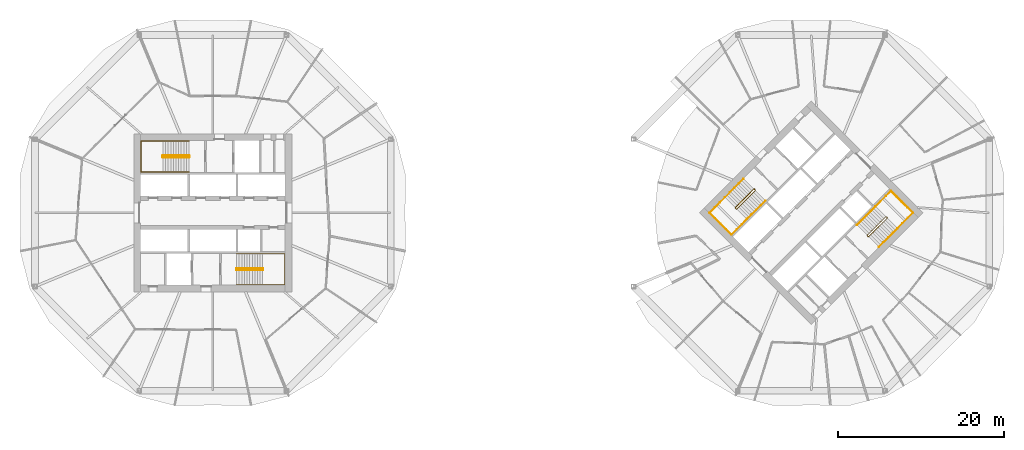
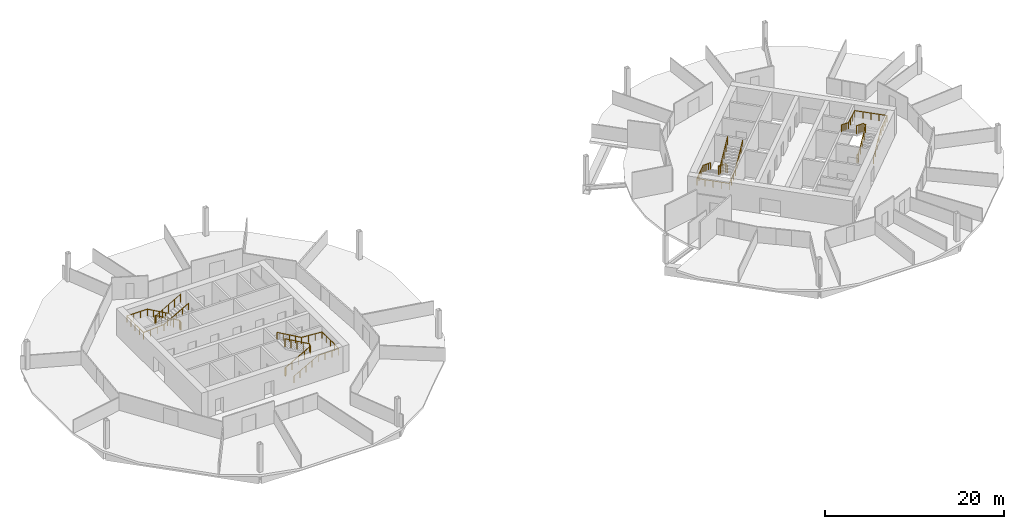
# One storey, part 9 of 9: 8 railings.
"""IFC4 building model written with IfcOpenShell, lengths in metres."""

from ifc_helpers import new_model, si_unit, direction, frame, origin, origin_2d, place, context, subcontext, project, spatial, circle, extrude, material, type_object, element, save


model = new_model("IFC4")

# Units and contexts
model_context = context("Model", 3, precision=1e-05, world=origin(), true_north=direction((0.0, 1.0)))
body_context = subcontext(model_context, "Body", "Model", "MODEL_VIEW")
ifc_project = project(units=[si_unit("LENGTHUNIT", "METRE"), si_unit("AREAUNIT", "SQUARE_METRE"), si_unit("VOLUMEUNIT", "CUBIC_METRE"), si_unit("PLANEANGLEUNIT", "RADIAN"), si_unit("MASSUNIT", "GRAM", prefix="KILO")], contexts=[model_context])

# Site, building, storey
site_placement = place(None, origin())
site = spatial("IfcSite", under=ifc_project, at=site_placement, CompositionType="ELEMENT")
building_placement = place(site_placement, origin())
building = spatial("IfcBuilding", under=site, at=building_placement, Name="Ogive Gate Towers", CompositionType="ELEMENT")
storey_placement = place(building_placement, frame((0.0, 0.0, 111.300048828125)))
storey = spatial("IfcBuildingStorey", under=building, at=storey_placement, Name="L26", CompositionType="ELEMENT", Elevation=111.300048828125)

# Railings
ifc_material = material(Name="Stainless steel", Category="steel")
railing_type_1 = type_object("IfcRailingType", Name="Stair guard 1100", PredefinedType="GUARDRAIL", material=ifc_material)
railing_1_placement = place(storey_placement, frame((-38.81494140625, 6.860107421875, 0.0)))
element("IfcRailing", 1, at=railing_1_placement, inside=storey, type_object=railing_type_1, Name="L26 ST1 stair guard 1", PredefinedType="GUARDRAIL", context=body_context, shape_type="SweptSolid", body=[
    extrude(circle(Radius=0.02392578125, at=origin_2d()), frame((0.0, 0.0, 1.076171875), z_axis=(0.0, -1.0, 0.0), x_axis=(1.0, 0.0, 0.0)), (0.0, 0.0, 1.0), 0.14501953125),
    extrude(circle(Radius=0.02392578125, at=origin_2d()), frame((0.0, -0.14501953125, 1.076171875), z_axis=(-0.186679794065, 0.726685247142, 0.661119660934), x_axis=(-0.968551454522, -0.24881334358, 0.0)), (0.0, 0.0, 1.0), 0.26806640625),
    extrude(circle(Radius=0.02392578125, at=origin_2d()), frame((-0.050048828125, 0.0498046875, 1.25341796875), z_axis=(-0.870572935281, 0.0, 0.492039393094), x_axis=(0.0, -1.0, 0.0)), (0.0, 0.0, 1.0), 3.602783203125),
    extrude(circle(Radius=0.02392578125, at=origin_2d()), frame((-3.1865234375, 0.0498046875, 3.02587890625), z_axis=(-0.707106781187, -0.707106781187, 0.0), x_axis=(0.707106781187, -0.707106781187, 0.0)), (0.0, 0.0, 1.0), 0.0703125),
    extrude(circle(Radius=0.02392578125, at=origin_2d()), frame((-3.236328125, 0.0, 3.02587890625), z_axis=(0.0, -1.0, 0.0), x_axis=(1.0, 0.0, 0.0)), (0.0, 0.0, 1.0), 0.14501953125),
    extrude(circle(Radius=0.02392578125, at=origin_2d()), frame((-3.236328125, -0.14501953125, 3.02587890625), z_axis=(0.261041864531, -0.262321481514, 0.929001929653), x_axis=(0.708833529934, 0.705375805398, 0.0)), (0.0, 0.0, 1.0), 0.190673828125),
    extrude(circle(Radius=0.02392578125, at=origin_2d()), frame((-3.1865234375, -0.195068359375, 3.203125), z_axis=(0.870572935281, 0.0, 0.492039393094), x_axis=(0.0, 1.0, 0.0)), (0.0, 0.0, 1.0), 3.602783203125),
    extrude(circle(Radius=0.02099609375, at=origin_2d()), origin(), (0.0, 0.0, 1.0), 1.052001953125),
    extrude(circle(Radius=0.02099609375, at=origin_2d()), frame((0.0, -0.14501953125, 0.0)), (0.0, 0.0, 1.0), 1.052001953125),
    extrude(circle(Radius=0.02099609375, at=origin_2d()), frame((-0.050048828125, 0.0498046875, 0.17724609375)), (0.0, 0.0, 1.0), 1.052001953125),
    extrude(circle(Radius=0.02099609375, at=origin_2d()), frame((-0.834228515625, 0.0498046875, 0.620361328125)), (0.0, 0.0, 1.0), 1.052001953125),
    extrude(circle(Radius=0.02099609375, at=origin_2d()), frame((-1.6181640625, 0.0498046875, 1.0634765625)), (0.0, 0.0, 1.0), 1.052001953125),
    extrude(circle(Radius=0.02099609375, at=origin_2d()), frame((-2.40234375, 0.0498046875, 1.5068359375)), (0.0, 0.0, 1.0), 1.052001953125),
    extrude(circle(Radius=0.02099609375, at=origin_2d()), frame((-3.1865234375, 0.0498046875, 1.949951171875)), (0.0, 0.0, 1.0), 1.052001953125),
    extrude(circle(Radius=0.02099609375, at=origin_2d()), frame((-3.236328125, 0.0, 1.949951171875)), (0.0, 0.0, 1.0), 1.052001953125),
    extrude(circle(Radius=0.02099609375, at=origin_2d()), frame((-3.236328125, -0.14501953125, 1.949951171875)), (0.0, 0.0, 1.0), 1.052001953125),
    extrude(circle(Radius=0.02099609375, at=origin_2d()), frame((-3.1865234375, -0.195068359375, 2.127197265625)), (0.0, 0.0, 1.0), 1.052001953125),
    extrude(circle(Radius=0.02099609375, at=origin_2d()), frame((-2.40234375, -0.195068359375, 2.5703125)), (0.0, 0.0, 1.0), 1.052001953125),
    extrude(circle(Radius=0.02099609375, at=origin_2d()), frame((-1.6181640625, -0.195068359375, 3.013671875)), (0.0, 0.0, 1.0), 1.052001953125),
    extrude(circle(Radius=0.02099609375, at=origin_2d()), frame((-0.834228515625, -0.195068359375, 3.456787109375)), (0.0, 0.0, 1.0), 1.052001953125),
    extrude(circle(Radius=0.02099609375, at=origin_2d()), frame((-0.050048828125, -0.195068359375, 3.89990234375)), (0.0, 0.0, 1.0), 1.052001953125),
])
railing_2_placement = place(storey_placement, frame((-33.18505859375, -6.860107421875, 0.0)))
element("IfcRailing", 2, at=railing_2_placement, inside=storey, type_object=railing_type_1, Name="L26 ST2 stair guard 1", PredefinedType="GUARDRAIL", context=body_context, shape_type="SweptSolid", body=[
    extrude(circle(Radius=0.02392578125, at=origin_2d()), frame((0.0, 0.0, 1.076171875), z_axis=(0.0, 1.0, 0.0), x_axis=(-1.0, 0.0, 0.0)), (0.0, 0.0, 1.0), 0.14501953125),
    extrude(circle(Radius=0.02392578125, at=origin_2d()), frame((0.0, 0.14501953125, 1.076171875), z_axis=(0.186679794065, -0.726685247142, 0.661119660934), x_axis=(0.968551454522, 0.24881334358, 0.0)), (0.0, 0.0, 1.0), 0.26806640625),
    extrude(circle(Radius=0.02392578125, at=origin_2d()), frame((0.050048828125, -0.0498046875, 1.25341796875), z_axis=(0.870572935281, 0.0, 0.492039393094), x_axis=(0.0, 1.0, 0.0)), (0.0, 0.0, 1.0), 3.602783203125),
    extrude(circle(Radius=0.02392578125, at=origin_2d()), frame((3.1865234375, -0.0498046875, 3.02587890625), z_axis=(0.707106781187, 0.707106781187, 0.0), x_axis=(-0.707106781187, 0.707106781187, 0.0)), (0.0, 0.0, 1.0), 0.0703125),
    extrude(circle(Radius=0.02392578125, at=origin_2d()), frame((3.236328125, 0.0, 3.02587890625), z_axis=(0.0, 1.0, 0.0), x_axis=(-1.0, 0.0, 0.0)), (0.0, 0.0, 1.0), 0.14501953125),
    extrude(circle(Radius=0.02392578125, at=origin_2d()), frame((3.236328125, 0.14501953125, 3.02587890625), z_axis=(-0.261041864531, 0.262321481514, 0.929001929653), x_axis=(-0.708833529934, -0.705375805398, 0.0)), (0.0, 0.0, 1.0), 0.190673828125),
    extrude(circle(Radius=0.02392578125, at=origin_2d()), frame((3.1865234375, 0.195068359375, 3.203125), z_axis=(-0.870572935281, 0.0, 0.492039393094), x_axis=(0.0, -1.0, 0.0)), (0.0, 0.0, 1.0), 3.602783203125),
    extrude(circle(Radius=0.02099609375, at=origin_2d()), origin(), (0.0, 0.0, 1.0), 1.052001953125),
    extrude(circle(Radius=0.02099609375, at=origin_2d()), frame((0.0, 0.14501953125, 0.0)), (0.0, 0.0, 1.0), 1.052001953125),
    extrude(circle(Radius=0.02099609375, at=origin_2d()), frame((0.050048828125, -0.0498046875, 0.17724609375)), (0.0, 0.0, 1.0), 1.052001953125),
    extrude(circle(Radius=0.02099609375, at=origin_2d()), frame((0.834228515625, -0.0498046875, 0.620361328125)), (0.0, 0.0, 1.0), 1.052001953125),
    extrude(circle(Radius=0.02099609375, at=origin_2d()), frame((1.6181640625, -0.0498046875, 1.0634765625)), (0.0, 0.0, 1.0), 1.052001953125),
    extrude(circle(Radius=0.02099609375, at=origin_2d()), frame((2.40234375, -0.0498046875, 1.5068359375)), (0.0, 0.0, 1.0), 1.052001953125),
    extrude(circle(Radius=0.02099609375, at=origin_2d()), frame((3.1865234375, -0.0498046875, 1.949951171875)), (0.0, 0.0, 1.0), 1.052001953125),
    extrude(circle(Radius=0.02099609375, at=origin_2d()), frame((3.236328125, 0.0, 1.949951171875)), (0.0, 0.0, 1.0), 1.052001953125),
    extrude(circle(Radius=0.02099609375, at=origin_2d()), frame((3.236328125, 0.14501953125, 1.949951171875)), (0.0, 0.0, 1.0), 1.052001953125),
    extrude(circle(Radius=0.02099609375, at=origin_2d()), frame((3.1865234375, 0.195068359375, 2.127197265625)), (0.0, 0.0, 1.0), 1.052001953125),
    extrude(circle(Radius=0.02099609375, at=origin_2d()), frame((2.40234375, 0.195068359375, 2.5703125)), (0.0, 0.0, 1.0), 1.052001953125),
    extrude(circle(Radius=0.02099609375, at=origin_2d()), frame((1.6181640625, 0.195068359375, 3.013671875)), (0.0, 0.0, 1.0), 1.052001953125),
    extrude(circle(Radius=0.02099609375, at=origin_2d()), frame((0.834228515625, 0.195068359375, 3.456787109375)), (0.0, 0.0, 1.0), 1.052001953125),
    extrude(circle(Radius=0.02099609375, at=origin_2d()), frame((0.050048828125, 0.195068359375, 3.89990234375)), (0.0, 0.0, 1.0), 1.052001953125),
])
railing_3_placement = place(storey_placement, frame((29.15869140625, 2.8603515625, 0.0)))
element("IfcRailing", 3, at=railing_3_placement, inside=storey, type_object=railing_type_1, Name="L26 ST1 stair guard 1", PredefinedType="GUARDRAIL", context=body_context, shape_type="SweptSolid", body=[
    extrude(circle(Radius=0.02392578125, at=origin_2d()), frame((0.0, 0.0, 1.076171875), z_axis=(0.707106781187, -0.707106781187, 0.0), x_axis=(0.707106781187, 0.707106781187, 0.0)), (0.0, 0.0, 1.0), 0.14501953125),
    extrude(circle(Radius=0.02392578125, at=origin_2d()), frame((0.1025390625, -0.1025390625, 1.076171875), z_axis=(-0.645571447971, 0.382425963537, 0.661050594114), x_axis=(-0.509669330572, -0.860370369942, 0.0)), (0.0, 0.0, 1.0), 0.26806640625),
    extrude(circle(Radius=0.02392578125, at=origin_2d()), frame((-0.070556640625, 0.0, 1.25341796875), z_axis=(-0.61558473135, -0.61558473135, 0.49204763698), x_axis=(0.707106781187, -0.707106781187, 0.0)), (0.0, 0.0, 1.0), 3.602783203125),
    extrude(circle(Radius=0.02392578125, at=origin_2d()), frame((-2.288330078125, -2.2177734375, 3.02587890625), z_axis=(0.0, -1.0, 0.0), x_axis=(1.0, 0.0, 0.0)), (0.0, 0.0, 1.0), 0.07080078125),
    extrude(circle(Radius=0.02392578125, at=origin_2d()), frame((-2.288330078125, -2.28857421875, 3.02587890625), z_axis=(0.707106781187, -0.707106781187, 0.0), x_axis=(0.707106781187, 0.707106781187, 0.0)), (0.0, 0.0, 1.0), 0.14501953125),
    extrude(circle(Radius=0.02392578125, at=origin_2d()), frame((-2.185791015625, -2.39111328125, 3.02587890625), z_axis=(0.369845645421, 0.0, 0.929093213065), x_axis=(0.0, 1.0, 0.0)), (0.0, 0.0, 1.0), 0.190673828125),
    extrude(circle(Radius=0.02392578125, at=origin_2d()), frame((-2.115234375, -2.39111328125, 3.203125), z_axis=(0.61558473135, 0.61558473135, 0.49204763698), x_axis=(-0.707106781187, 0.707106781187, 0.0)), (0.0, 0.0, 1.0), 3.602783203125),
    extrude(circle(Radius=0.02099609375, at=origin_2d()), origin(), (0.0, 0.0, 1.0), 1.052001953125),
    extrude(circle(Radius=0.02099609375, at=origin_2d()), frame((0.1025390625, -0.1025390625, 0.0)), (0.0, 0.0, 1.0), 1.052001953125),
    extrude(circle(Radius=0.02099609375, at=origin_2d()), frame((-0.070556640625, 0.0, 0.17724609375)), (0.0, 0.0, 1.0), 1.052001953125),
    extrude(circle(Radius=0.02099609375, at=origin_2d()), frame((-0.625, -0.554443359375, 0.620361328125)), (0.0, 0.0, 1.0), 1.052001953125),
    extrude(circle(Radius=0.02099609375, at=origin_2d()), frame((-1.179443359375, -1.10888671875, 1.0634765625)), (0.0, 0.0, 1.0), 1.052001953125),
    extrude(circle(Radius=0.02099609375, at=origin_2d()), frame((-1.73388671875, -1.663330078125, 1.5068359375)), (0.0, 0.0, 1.0), 1.052001953125),
    extrude(circle(Radius=0.02099609375, at=origin_2d()), frame((-2.288330078125, -2.2177734375, 1.949951171875)), (0.0, 0.0, 1.0), 1.052001953125),
    extrude(circle(Radius=0.02099609375, at=origin_2d()), frame((-2.288330078125, -2.28857421875, 1.949951171875)), (0.0, 0.0, 1.0), 1.052001953125),
    extrude(circle(Radius=0.02099609375, at=origin_2d()), frame((-2.185791015625, -2.39111328125, 1.949951171875)), (0.0, 0.0, 1.0), 1.052001953125),
    extrude(circle(Radius=0.02099609375, at=origin_2d()), frame((-2.115234375, -2.39111328125, 2.127197265625)), (0.0, 0.0, 1.0), 1.052001953125),
    extrude(circle(Radius=0.02099609375, at=origin_2d()), frame((-1.560791015625, -1.836669921875, 2.5703125)), (0.0, 0.0, 1.0), 1.052001953125),
    extrude(circle(Radius=0.02099609375, at=origin_2d()), frame((-1.00634765625, -1.2822265625, 3.013671875)), (0.0, 0.0, 1.0), 1.052001953125),
    extrude(circle(Radius=0.02099609375, at=origin_2d()), frame((-0.451904296875, -0.727783203125, 3.456787109375)), (0.0, 0.0, 1.0), 1.052001953125),
    extrude(circle(Radius=0.02099609375, at=origin_2d()), frame((0.1025390625, -0.17333984375, 3.89990234375)), (0.0, 0.0, 1.0), 1.052001953125),
])
railing_4_placement = place(storey_placement, frame((42.84130859375, -2.8603515625, 0.0)))
element("IfcRailing", 4, at=railing_4_placement, inside=storey, type_object=railing_type_1, Name="L26 ST2 stair guard 1", PredefinedType="GUARDRAIL", context=body_context, shape_type="SweptSolid", body=[
    extrude(circle(Radius=0.02392578125, at=origin_2d()), frame((0.0, 0.0, 1.076171875), z_axis=(-0.707106781187, 0.707106781187, 0.0), x_axis=(-0.707106781187, -0.707106781187, 0.0)), (0.0, 0.0, 1.0), 0.14501953125),
    extrude(circle(Radius=0.02392578125, at=origin_2d()), frame((-0.1025390625, 0.1025390625, 1.076171875), z_axis=(0.645571447971, -0.382425963537, 0.661050594114), x_axis=(0.509669330572, 0.860370369942, 0.0)), (0.0, 0.0, 1.0), 0.26806640625),
    extrude(circle(Radius=0.02392578125, at=origin_2d()), frame((0.070556640625, 0.0, 1.25341796875), z_axis=(0.61558473135, 0.61558473135, 0.49204763698), x_axis=(-0.707106781187, 0.707106781187, 0.0)), (0.0, 0.0, 1.0), 3.602783203125),
    extrude(circle(Radius=0.02392578125, at=origin_2d()), frame((2.288330078125, 2.2177734375, 3.02587890625), z_axis=(0.0, 1.0, 0.0), x_axis=(-1.0, 0.0, 0.0)), (0.0, 0.0, 1.0), 0.07080078125),
    extrude(circle(Radius=0.02392578125, at=origin_2d()), frame((2.288330078125, 2.28857421875, 3.02587890625), z_axis=(-0.707106781187, 0.707106781187, 0.0), x_axis=(-0.707106781187, -0.707106781187, 0.0)), (0.0, 0.0, 1.0), 0.14501953125),
    extrude(circle(Radius=0.02392578125, at=origin_2d()), frame((2.185791015625, 2.39111328125, 3.02587890625), z_axis=(-0.369845645421, 0.0, 0.929093213065), x_axis=(0.0, -1.0, 0.0)), (0.0, 0.0, 1.0), 0.190673828125),
    extrude(circle(Radius=0.02392578125, at=origin_2d()), frame((2.115234375, 2.39111328125, 3.203125), z_axis=(-0.61558473135, -0.61558473135, 0.49204763698), x_axis=(0.707106781187, -0.707106781187, 0.0)), (0.0, 0.0, 1.0), 3.602783203125),
    extrude(circle(Radius=0.02099609375, at=origin_2d()), origin(), (0.0, 0.0, 1.0), 1.052001953125),
    extrude(circle(Radius=0.02099609375, at=origin_2d()), frame((-0.1025390625, 0.1025390625, 0.0)), (0.0, 0.0, 1.0), 1.052001953125),
    extrude(circle(Radius=0.02099609375, at=origin_2d()), frame((0.070556640625, 0.0, 0.17724609375)), (0.0, 0.0, 1.0), 1.052001953125),
    extrude(circle(Radius=0.02099609375, at=origin_2d()), frame((0.625, 0.554443359375, 0.620361328125)), (0.0, 0.0, 1.0), 1.052001953125),
    extrude(circle(Radius=0.02099609375, at=origin_2d()), frame((1.179443359375, 1.10888671875, 1.0634765625)), (0.0, 0.0, 1.0), 1.052001953125),
    extrude(circle(Radius=0.02099609375, at=origin_2d()), frame((1.73388671875, 1.663330078125, 1.5068359375)), (0.0, 0.0, 1.0), 1.052001953125),
    extrude(circle(Radius=0.02099609375, at=origin_2d()), frame((2.288330078125, 2.2177734375, 1.949951171875)), (0.0, 0.0, 1.0), 1.052001953125),
    extrude(circle(Radius=0.02099609375, at=origin_2d()), frame((2.288330078125, 2.28857421875, 1.949951171875)), (0.0, 0.0, 1.0), 1.052001953125),
    extrude(circle(Radius=0.02099609375, at=origin_2d()), frame((2.185791015625, 2.39111328125, 1.949951171875)), (0.0, 0.0, 1.0), 1.052001953125),
    extrude(circle(Radius=0.02099609375, at=origin_2d()), frame((2.115234375, 2.39111328125, 2.127197265625)), (0.0, 0.0, 1.0), 1.052001953125),
    extrude(circle(Radius=0.02099609375, at=origin_2d()), frame((1.560791015625, 1.836669921875, 2.5703125)), (0.0, 0.0, 1.0), 1.052001953125),
    extrude(circle(Radius=0.02099609375, at=origin_2d()), frame((1.00634765625, 1.2822265625, 3.013671875)), (0.0, 0.0, 1.0), 1.052001953125),
    extrude(circle(Radius=0.02099609375, at=origin_2d()), frame((0.451904296875, 0.727783203125, 3.456787109375)), (0.0, 0.0, 1.0), 1.052001953125),
    extrude(circle(Radius=0.02099609375, at=origin_2d()), frame((-0.1025390625, 0.17333984375, 3.89990234375)), (0.0, 0.0, 1.0), 1.052001953125),
])
railing_type_2 = type_object("IfcRailingType", Name="Stair handrail 900", PredefinedType="HANDRAIL", material=ifc_material)
railing_5_placement = place(storey_placement, frame((-38.864990234375, 8.64990234375, 0.17724609375)))
element("IfcRailing", 5, at=railing_5_placement, inside=storey, type_object=railing_type_2, Name="L26 ST1 stair handrail 1", PredefinedType="HANDRAIL", context=body_context, shape_type="SweptSolid", body=[
    extrude(circle(Radius=0.02392578125, at=origin_2d()), frame((0.0, 0.0, 0.8759765625), z_axis=(-0.870572935281, 0.0, 0.492039393094), x_axis=(0.0, -1.0, 0.0)), (0.0, 0.0, 1.0), 3.602783203125),
    extrude(circle(Radius=0.02392578125, at=origin_2d()), frame((-3.136474609375, 0.0, 2.6484375), z_axis=(-1.0, 0.0, 0.0), x_axis=(0.0, -1.0, 0.0)), (0.0, 0.0, 1.0), 2.6484375),
    extrude(circle(Radius=0.02392578125, at=origin_2d()), frame((-5.784912109375, 0.0, 2.6484375), z_axis=(0.0, -1.0, 0.0), x_axis=(1.0, 0.0, 0.0)), (0.0, 0.0, 1.0), 3.724853515625),
    extrude(circle(Radius=0.02392578125, at=origin_2d()), frame((-5.784912109375, -3.724853515625, 2.6484375), z_axis=(0.997768031817, 0.0, 0.066775404784), x_axis=(0.0, 1.0, 0.0)), (0.0, 0.0, 1.0), 2.654296875),
    extrude(circle(Radius=0.02392578125, at=origin_2d()), frame((-3.136474609375, -3.724853515625, 2.82568359375), z_axis=(0.870572935281, 0.0, 0.492039393094), x_axis=(0.0, 1.0, 0.0)), (0.0, 0.0, 1.0), 3.602783203125),
    extrude(circle(Radius=0.02099609375, at=origin_2d()), origin(), (0.0, 0.0, 1.0), 0.851806640625),
    extrude(circle(Radius=0.02099609375, at=origin_2d()), frame((-0.7841796875, 0.0, 0.443115234375)), (0.0, 0.0, 1.0), 0.851806640625),
    extrude(circle(Radius=0.02099609375, at=origin_2d()), frame((-1.568359375, 0.0, 0.88623046875)), (0.0, 0.0, 1.0), 0.851806640625),
    extrude(circle(Radius=0.02099609375, at=origin_2d()), frame((-2.352294921875, 0.0, 1.32958984375)), (0.0, 0.0, 1.0), 0.851806640625),
    extrude(circle(Radius=0.02099609375, at=origin_2d()), frame((-3.136474609375, 0.0, 1.772705078125)), (0.0, 0.0, 1.0), 0.851806640625),
    extrude(circle(Radius=0.02099609375, at=origin_2d()), frame((-4.019287109375, 0.0, 1.772705078125)), (0.0, 0.0, 1.0), 0.851806640625),
    extrude(circle(Radius=0.02099609375, at=origin_2d()), frame((-4.902099609375, 0.0, 1.772705078125)), (0.0, 0.0, 1.0), 0.851806640625),
    extrude(circle(Radius=0.02099609375, at=origin_2d()), frame((-5.784912109375, 0.0, 1.772705078125)), (0.0, 0.0, 1.0), 0.851806640625),
    extrude(circle(Radius=0.02099609375, at=origin_2d()), frame((-5.784912109375, -0.93115234375, 1.772705078125)), (0.0, 0.0, 1.0), 0.851806640625),
    extrude(circle(Radius=0.02099609375, at=origin_2d()), frame((-5.784912109375, -1.8623046875, 1.772705078125)), (0.0, 0.0, 1.0), 0.851806640625),
    extrude(circle(Radius=0.02099609375, at=origin_2d()), frame((-5.784912109375, -2.793701171875, 1.772705078125)), (0.0, 0.0, 1.0), 0.851806640625),
    extrude(circle(Radius=0.02099609375, at=origin_2d()), frame((-5.784912109375, -3.724853515625, 1.772705078125)), (0.0, 0.0, 1.0), 0.851806640625),
    extrude(circle(Radius=0.02099609375, at=origin_2d()), frame((-4.902099609375, -3.724853515625, 1.831787109375)), (0.0, 0.0, 1.0), 0.851806640625),
    extrude(circle(Radius=0.02099609375, at=origin_2d()), frame((-4.019287109375, -3.724853515625, 1.890869140625)), (0.0, 0.0, 1.0), 0.851806640625),
    extrude(circle(Radius=0.02099609375, at=origin_2d()), frame((-3.136474609375, -3.724853515625, 1.949951171875)), (0.0, 0.0, 1.0), 0.851806640625),
    extrude(circle(Radius=0.02099609375, at=origin_2d()), frame((-2.352294921875, -3.724853515625, 2.39306640625)), (0.0, 0.0, 1.0), 0.851806640625),
    extrude(circle(Radius=0.02099609375, at=origin_2d()), frame((-1.568359375, -3.724853515625, 2.83642578125)), (0.0, 0.0, 1.0), 0.851806640625),
    extrude(circle(Radius=0.02099609375, at=origin_2d()), frame((-0.7841796875, -3.724853515625, 3.279541015625)), (0.0, 0.0, 1.0), 0.851806640625),
    extrude(circle(Radius=0.02099609375, at=origin_2d()), frame((0.0, -3.724853515625, 3.72265625)), (0.0, 0.0, 1.0), 0.851806640625),
])
railing_6_placement = place(storey_placement, frame((-33.135009765625, -8.64990234375, 0.17724609375)))
element("IfcRailing", 6, at=railing_6_placement, inside=storey, type_object=railing_type_2, Name="L26 ST2 stair handrail 1", PredefinedType="HANDRAIL", context=body_context, shape_type="SweptSolid", body=[
    extrude(circle(Radius=0.02392578125, at=origin_2d()), frame((0.0, 0.0, 0.8759765625), z_axis=(0.870572935281, 0.0, 0.492039393094), x_axis=(0.0, 1.0, 0.0)), (0.0, 0.0, 1.0), 3.602783203125),
    extrude(circle(Radius=0.02392578125, at=origin_2d()), frame((3.136474609375, 0.0, 2.6484375), z_axis=(1.0, 0.0, 0.0), x_axis=(0.0, 1.0, 0.0)), (0.0, 0.0, 1.0), 2.6484375),
    extrude(circle(Radius=0.02392578125, at=origin_2d()), frame((5.784912109375, 0.0, 2.6484375), z_axis=(0.0, 1.0, 0.0), x_axis=(-1.0, 0.0, 0.0)), (0.0, 0.0, 1.0), 3.724853515625),
    extrude(circle(Radius=0.02392578125, at=origin_2d()), frame((5.784912109375, 3.724853515625, 2.6484375), z_axis=(-0.997768031817, 0.0, 0.066775404784), x_axis=(0.0, -1.0, 0.0)), (0.0, 0.0, 1.0), 2.654296875),
    extrude(circle(Radius=0.02392578125, at=origin_2d()), frame((3.136474609375, 3.724853515625, 2.82568359375), z_axis=(-0.870572935281, 0.0, 0.492039393094), x_axis=(0.0, -1.0, 0.0)), (0.0, 0.0, 1.0), 3.602783203125),
    extrude(circle(Radius=0.02099609375, at=origin_2d()), origin(), (0.0, 0.0, 1.0), 0.851806640625),
    extrude(circle(Radius=0.02099609375, at=origin_2d()), frame((0.7841796875, 0.0, 0.443115234375)), (0.0, 0.0, 1.0), 0.851806640625),
    extrude(circle(Radius=0.02099609375, at=origin_2d()), frame((1.568359375, 0.0, 0.88623046875)), (0.0, 0.0, 1.0), 0.851806640625),
    extrude(circle(Radius=0.02099609375, at=origin_2d()), frame((2.352294921875, 0.0, 1.32958984375)), (0.0, 0.0, 1.0), 0.851806640625),
    extrude(circle(Radius=0.02099609375, at=origin_2d()), frame((3.136474609375, 0.0, 1.772705078125)), (0.0, 0.0, 1.0), 0.851806640625),
    extrude(circle(Radius=0.02099609375, at=origin_2d()), frame((4.019287109375, 0.0, 1.772705078125)), (0.0, 0.0, 1.0), 0.851806640625),
    extrude(circle(Radius=0.02099609375, at=origin_2d()), frame((4.902099609375, 0.0, 1.772705078125)), (0.0, 0.0, 1.0), 0.851806640625),
    extrude(circle(Radius=0.02099609375, at=origin_2d()), frame((5.784912109375, 0.0, 1.772705078125)), (0.0, 0.0, 1.0), 0.851806640625),
    extrude(circle(Radius=0.02099609375, at=origin_2d()), frame((5.784912109375, 0.93115234375, 1.772705078125)), (0.0, 0.0, 1.0), 0.851806640625),
    extrude(circle(Radius=0.02099609375, at=origin_2d()), frame((5.784912109375, 1.8623046875, 1.772705078125)), (0.0, 0.0, 1.0), 0.851806640625),
    extrude(circle(Radius=0.02099609375, at=origin_2d()), frame((5.784912109375, 2.793701171875, 1.772705078125)), (0.0, 0.0, 1.0), 0.851806640625),
    extrude(circle(Radius=0.02099609375, at=origin_2d()), frame((5.784912109375, 3.724853515625, 1.772705078125)), (0.0, 0.0, 1.0), 0.851806640625),
    extrude(circle(Radius=0.02099609375, at=origin_2d()), frame((4.902099609375, 3.724853515625, 1.831787109375)), (0.0, 0.0, 1.0), 0.851806640625),
    extrude(circle(Radius=0.02099609375, at=origin_2d()), frame((4.019287109375, 3.724853515625, 1.890869140625)), (0.0, 0.0, 1.0), 0.851806640625),
    extrude(circle(Radius=0.02099609375, at=origin_2d()), frame((3.136474609375, 3.724853515625, 1.949951171875)), (0.0, 0.0, 1.0), 0.851806640625),
    extrude(circle(Radius=0.02099609375, at=origin_2d()), frame((2.352294921875, 3.724853515625, 2.39306640625)), (0.0, 0.0, 1.0), 0.851806640625),
    extrude(circle(Radius=0.02099609375, at=origin_2d()), frame((1.568359375, 3.724853515625, 2.83642578125)), (0.0, 0.0, 1.0), 0.851806640625),
    extrude(circle(Radius=0.02099609375, at=origin_2d()), frame((0.7841796875, 3.724853515625, 3.279541015625)), (0.0, 0.0, 1.0), 0.851806640625),
    extrude(circle(Radius=0.02099609375, at=origin_2d()), frame((0.0, 3.724853515625, 3.72265625)), (0.0, 0.0, 1.0), 0.851806640625),
])
railing_7_placement = place(storey_placement, frame((27.857666015625, 4.090576171875, 0.17724609375)))
element("IfcRailing", 7, at=railing_7_placement, inside=storey, type_object=railing_type_2, Name="L26 ST1 stair handrail 1", PredefinedType="HANDRAIL", context=body_context, shape_type="SweptSolid", body=[
    extrude(circle(Radius=0.02392578125, at=origin_2d()), frame((0.0, 0.0, 0.8759765625), z_axis=(-0.61558473135, -0.61558473135, 0.49204763698), x_axis=(0.707106781187, -0.707106781187, 0.0)), (0.0, 0.0, 1.0), 3.602783203125),
    extrude(circle(Radius=0.02392578125, at=origin_2d()), frame((-2.2177734375, -2.2177734375, 2.6484375), z_axis=(-0.707106781187, -0.707106781187, 0.0), x_axis=(0.707106781187, -0.707106781187, 0.0)), (0.0, 0.0, 1.0), 2.6484375),
    extrude(circle(Radius=0.02392578125, at=origin_2d()), frame((-4.090576171875, -4.090576171875, 2.6484375), z_axis=(0.707106781187, -0.707106781187, 0.0), x_axis=(0.707106781187, 0.707106781187, 0.0)), (0.0, 0.0, 1.0), 3.72509765625),
    extrude(circle(Radius=0.02392578125, at=origin_2d()), frame((-1.45654296875, -6.724609375, 2.6484375), z_axis=(0.705482886452, 0.705574853978, 0.066768423356), x_axis=(-0.70715286629, 0.70706069308, 0.0)), (0.0, 0.0, 1.0), 2.654541015625),
    extrude(circle(Radius=0.02392578125, at=origin_2d()), frame((0.416259765625, -4.8515625, 2.82568359375), z_axis=(0.615610411033, 0.615542642384, 0.4920681632), x_axis=(-0.70706785752, 0.70714570271, 0.0)), (0.0, 0.0, 1.0), 3.6025390625),
    extrude(circle(Radius=0.02099609375, at=origin_2d()), origin(), (0.0, 0.0, 1.0), 0.851806640625),
    extrude(circle(Radius=0.02099609375, at=origin_2d()), frame((-0.554443359375, -0.554443359375, 0.443115234375)), (0.0, 0.0, 1.0), 0.851806640625),
    extrude(circle(Radius=0.02099609375, at=origin_2d()), frame((-1.10888671875, -1.10888671875, 0.88623046875)), (0.0, 0.0, 1.0), 0.851806640625),
    extrude(circle(Radius=0.02099609375, at=origin_2d()), frame((-1.663330078125, -1.663330078125, 1.32958984375)), (0.0, 0.0, 1.0), 0.851806640625),
    extrude(circle(Radius=0.02099609375, at=origin_2d()), frame((-2.2177734375, -2.2177734375, 1.772705078125)), (0.0, 0.0, 1.0), 0.851806640625),
    extrude(circle(Radius=0.02099609375, at=origin_2d()), frame((-2.842041015625, -2.842041015625, 1.772705078125)), (0.0, 0.0, 1.0), 0.851806640625),
    extrude(circle(Radius=0.02099609375, at=origin_2d()), frame((-3.46630859375, -3.46630859375, 1.772705078125)), (0.0, 0.0, 1.0), 0.851806640625),
    extrude(circle(Radius=0.02099609375, at=origin_2d()), frame((-4.090576171875, -4.090576171875, 1.772705078125)), (0.0, 0.0, 1.0), 0.851806640625),
    extrude(circle(Radius=0.02099609375, at=origin_2d()), frame((-3.43212890625, -4.7490234375, 1.772705078125)), (0.0, 0.0, 1.0), 0.851806640625),
    extrude(circle(Radius=0.02099609375, at=origin_2d()), frame((-2.7734375, -5.40771484375, 1.772705078125)), (0.0, 0.0, 1.0), 0.851806640625),
    extrude(circle(Radius=0.02099609375, at=origin_2d()), frame((-2.114990234375, -6.066162109375, 1.772705078125)), (0.0, 0.0, 1.0), 0.851806640625),
    extrude(circle(Radius=0.02099609375, at=origin_2d()), frame((-1.45654296875, -6.724609375, 1.772705078125)), (0.0, 0.0, 1.0), 0.851806640625),
    extrude(circle(Radius=0.02099609375, at=origin_2d()), frame((-0.832275390625, -6.100341796875, 1.831787109375)), (0.0, 0.0, 1.0), 0.851806640625),
    extrude(circle(Radius=0.02099609375, at=origin_2d()), frame((-0.2080078125, -5.475830078125, 1.890869140625)), (0.0, 0.0, 1.0), 0.851806640625),
    extrude(circle(Radius=0.02099609375, at=origin_2d()), frame((0.416259765625, -4.8515625, 1.949951171875)), (0.0, 0.0, 1.0), 0.851806640625),
    extrude(circle(Radius=0.02099609375, at=origin_2d()), frame((0.970703125, -4.297119140625, 2.39306640625)), (0.0, 0.0, 1.0), 0.851806640625),
    extrude(circle(Radius=0.02099609375, at=origin_2d()), frame((1.525146484375, -3.74267578125, 2.83642578125)), (0.0, 0.0, 1.0), 0.851806640625),
    extrude(circle(Radius=0.02099609375, at=origin_2d()), frame((2.07958984375, -3.1884765625, 3.279541015625)), (0.0, 0.0, 1.0), 0.851806640625),
    extrude(circle(Radius=0.02099609375, at=origin_2d()), frame((2.634033203125, -2.634033203125, 3.72265625)), (0.0, 0.0, 1.0), 0.851806640625),
])
railing_8_placement = place(storey_placement, frame((44.142333984375, -4.090576171875, 0.17724609375)))
element("IfcRailing", 8, at=railing_8_placement, inside=storey, type_object=railing_type_2, Name="L26 ST2 stair handrail 1", PredefinedType="HANDRAIL", context=body_context, shape_type="SweptSolid", body=[
    extrude(circle(Radius=0.02392578125, at=origin_2d()), frame((0.0, 0.0, 0.8759765625), z_axis=(0.61558473135, 0.61558473135, 0.49204763698), x_axis=(-0.707106781187, 0.707106781187, 0.0)), (0.0, 0.0, 1.0), 3.602783203125),
    extrude(circle(Radius=0.02392578125, at=origin_2d()), frame((2.2177734375, 2.2177734375, 2.6484375), z_axis=(0.707106781187, 0.707106781187, 0.0), x_axis=(-0.707106781187, 0.707106781187, 0.0)), (0.0, 0.0, 1.0), 2.6484375),
    extrude(circle(Radius=0.02392578125, at=origin_2d()), frame((4.090576171875, 4.090576171875, 2.6484375), z_axis=(-0.707106781187, 0.707106781187, 0.0), x_axis=(-0.707106781187, -0.707106781187, 0.0)), (0.0, 0.0, 1.0), 3.72509765625),
    extrude(circle(Radius=0.02392578125, at=origin_2d()), frame((1.45654296875, 6.724609375, 2.6484375), z_axis=(-0.705482886452, -0.705574853978, 0.066768423356), x_axis=(0.70715286629, -0.70706069308, 0.0)), (0.0, 0.0, 1.0), 2.654541015625),
    extrude(circle(Radius=0.02392578125, at=origin_2d()), frame((-0.416259765625, 4.8515625, 2.82568359375), z_axis=(-0.615610411033, -0.615542642384, 0.4920681632), x_axis=(0.70706785752, -0.70714570271, 0.0)), (0.0, 0.0, 1.0), 3.6025390625),
    extrude(circle(Radius=0.02099609375, at=origin_2d()), origin(), (0.0, 0.0, 1.0), 0.851806640625),
    extrude(circle(Radius=0.02099609375, at=origin_2d()), frame((0.554443359375, 0.554443359375, 0.443115234375)), (0.0, 0.0, 1.0), 0.851806640625),
    extrude(circle(Radius=0.02099609375, at=origin_2d()), frame((1.10888671875, 1.10888671875, 0.88623046875)), (0.0, 0.0, 1.0), 0.851806640625),
    extrude(circle(Radius=0.02099609375, at=origin_2d()), frame((1.663330078125, 1.663330078125, 1.32958984375)), (0.0, 0.0, 1.0), 0.851806640625),
    extrude(circle(Radius=0.02099609375, at=origin_2d()), frame((2.2177734375, 2.2177734375, 1.772705078125)), (0.0, 0.0, 1.0), 0.851806640625),
    extrude(circle(Radius=0.02099609375, at=origin_2d()), frame((2.842041015625, 2.842041015625, 1.772705078125)), (0.0, 0.0, 1.0), 0.851806640625),
    extrude(circle(Radius=0.02099609375, at=origin_2d()), frame((3.46630859375, 3.46630859375, 1.772705078125)), (0.0, 0.0, 1.0), 0.851806640625),
    extrude(circle(Radius=0.02099609375, at=origin_2d()), frame((4.090576171875, 4.090576171875, 1.772705078125)), (0.0, 0.0, 1.0), 0.851806640625),
    extrude(circle(Radius=0.02099609375, at=origin_2d()), frame((3.43212890625, 4.7490234375, 1.772705078125)), (0.0, 0.0, 1.0), 0.851806640625),
    extrude(circle(Radius=0.02099609375, at=origin_2d()), frame((2.7734375, 5.40771484375, 1.772705078125)), (0.0, 0.0, 1.0), 0.851806640625),
    extrude(circle(Radius=0.02099609375, at=origin_2d()), frame((2.114990234375, 6.066162109375, 1.772705078125)), (0.0, 0.0, 1.0), 0.851806640625),
    extrude(circle(Radius=0.02099609375, at=origin_2d()), frame((1.45654296875, 6.724609375, 1.772705078125)), (0.0, 0.0, 1.0), 0.851806640625),
    extrude(circle(Radius=0.02099609375, at=origin_2d()), frame((0.832275390625, 6.100341796875, 1.831787109375)), (0.0, 0.0, 1.0), 0.851806640625),
    extrude(circle(Radius=0.02099609375, at=origin_2d()), frame((0.2080078125, 5.475830078125, 1.890869140625)), (0.0, 0.0, 1.0), 0.851806640625),
    extrude(circle(Radius=0.02099609375, at=origin_2d()), frame((-0.416259765625, 4.8515625, 1.949951171875)), (0.0, 0.0, 1.0), 0.851806640625),
    extrude(circle(Radius=0.02099609375, at=origin_2d()), frame((-0.970703125, 4.297119140625, 2.39306640625)), (0.0, 0.0, 1.0), 0.851806640625),
    extrude(circle(Radius=0.02099609375, at=origin_2d()), frame((-1.525146484375, 3.74267578125, 2.83642578125)), (0.0, 0.0, 1.0), 0.851806640625),
    extrude(circle(Radius=0.02099609375, at=origin_2d()), frame((-2.07958984375, 3.1884765625, 3.279541015625)), (0.0, 0.0, 1.0), 0.851806640625),
    extrude(circle(Radius=0.02099609375, at=origin_2d()), frame((-2.634033203125, 2.634033203125, 3.72265625)), (0.0, 0.0, 1.0), 0.851806640625),
])

save(model, "model.ifc")
